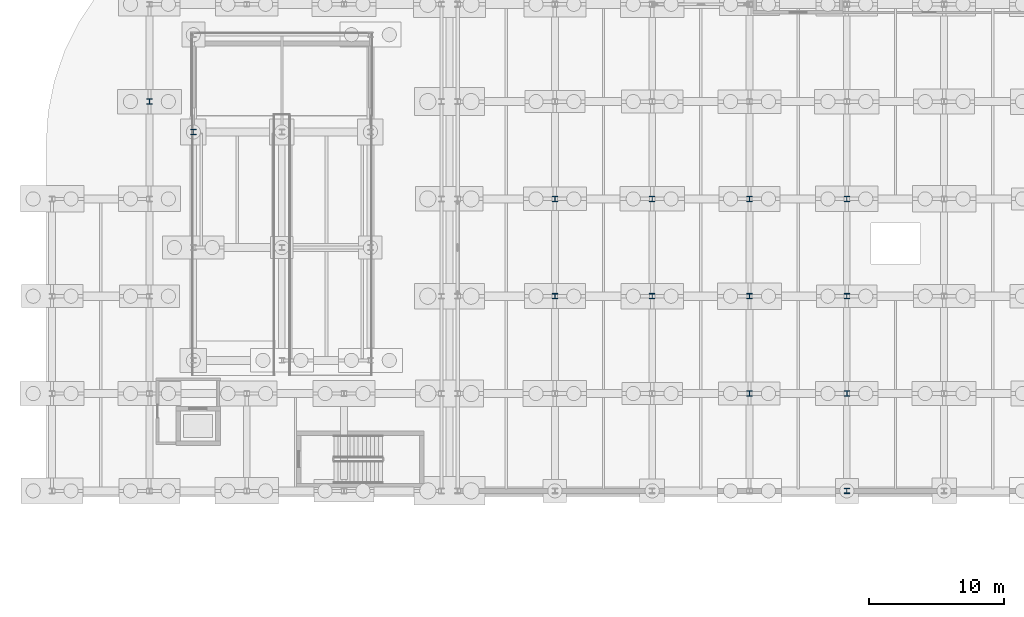
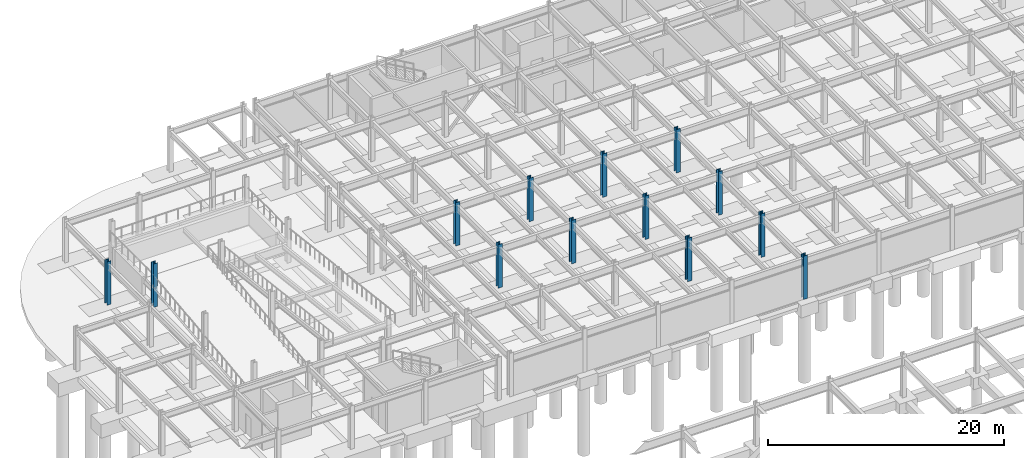
# One storey, part 18 of 54: 13 columns.
"""IFC4 building model written with IfcOpenShell, lengths in metres."""

from ifc_helpers import new_model, si_unit, direction, frame, origin, origin_2d, place, context, subcontext, project, spatial, i_section, extrude, material, material_profile, profile_set, type_object, element, save


model = new_model("IFC4")

# Units and contexts
model_context = context("Model", 3, precision=1e-05, world=origin(), true_north=direction((0.0, 1.0)))
body_context = subcontext(model_context, "Body", "Model", "MODEL_VIEW")
ifc_project = project(units=[si_unit("LENGTHUNIT", "METRE"), si_unit("AREAUNIT", "SQUARE_METRE"), si_unit("VOLUMEUNIT", "CUBIC_METRE"), si_unit("PLANEANGLEUNIT", "RADIAN"), si_unit("MASSUNIT", "GRAM", prefix="KILO")], contexts=[model_context])

# Site, building, storey
site_placement = place(None, origin())
site = spatial("IfcSite", under=ifc_project, at=site_placement, CompositionType="ELEMENT")
building_placement = place(site_placement, origin())
building = spatial("IfcBuilding", under=site, at=building_placement, Name="Vaelcorin Mobility Hub", CompositionType="ELEMENT")
storey_placement = place(building_placement, frame((0.0, 0.0, -4.5)))
storey = spatial("IfcBuildingStorey", under=building, at=storey_placement, Name="B1", CompositionType="ELEMENT", Elevation=-4.5)

# Columns
ifc_material = material(Name="Steel ASTM A992 Grade 50", Category="steel")
ifc_material_profile_1 = material_profile(ifc_material, i_section(OverallWidth=0.39599609375, OverallDepth=0.381103515625, WebThickness=0.018798828125, FlangeThickness=0.0302734375, FilletRadius=0.014892578125, at=origin_2d()), Name="W14X159")
ifc_profile_set_1 = profile_set([ifc_material_profile_1], Name="Steel ASTM A992 Grade 50")
column_type_1 = type_object("IfcColumnType", Name="COL-W14X159", PredefinedType="COLUMN", material=ifc_profile_set_1)
column_1_placement = place(storey_placement, frame((16.449951171875, 103.35009765625, 0.0), z_axis=(0.0, 0.0, 1.0), x_axis=(1.0, 0.0, 0.0)))
element("IfcColumn", 1, at=column_1_placement, inside=storey, type_object=column_type_1, Name="Column V2W-RDRM-WN B1", PredefinedType="COLUMN", context=body_context, shape_type="SweptSolid", body=[
    extrude(i_section(OverallWidth=0.39599609375, OverallDepth=0.381103515625, WebThickness=0.018798828125, FlangeThickness=0.0302734375, FilletRadius=0.014892578125, at=origin_2d()), origin(), (0.0, 0.0, 1.0), 4.5),
])
ifc_material_profile_2 = material_profile(ifc_material, i_section(OverallWidth=0.39892578125, OverallDepth=0.39404296875, WebThickness=0.022705078125, FlangeThickness=0.03662109375, FilletRadius=0.014892578125, at=origin_2d()), Name="W14X193")
ifc_profile_set_2 = profile_set([ifc_material_profile_2], Name="Steel ASTM A992 Grade 50")
column_type_2 = type_object("IfcColumnType", Name="COL-W14X193", PredefinedType="COLUMN", material=ifc_profile_set_2)
column_2_placement = place(storey_placement, frame((13.199951171875, 105.60009765625, 0.0), z_axis=(0.0, 0.0, 1.0), x_axis=(1.0, 0.0, 0.0)))
element("IfcColumn", 2, at=column_2_placement, inside=storey, type_object=column_type_2, Name="Column V2W-G2x5 B1", PredefinedType="COLUMN", context=body_context, shape_type="SweptSolid", body=[
    extrude(i_section(OverallWidth=0.39892578125, OverallDepth=0.39404296875, WebThickness=0.022705078125, FlangeThickness=0.03662109375, FilletRadius=0.014892578125, at=origin_2d()), origin(), (0.0, 0.0, 1.0), 4.5),
])
ifc_material_profile_3 = material_profile(ifc_material, i_section(OverallWidth=0.404052734375, OverallDepth=0.406005859375, WebThickness=0.027099609375, FlangeThickness=0.043701171875, FilletRadius=0.014892578125, at=origin_2d()), Name="W14X233")
ifc_profile_set_3 = profile_set([ifc_material_profile_3], Name="Steel ASTM A992 Grade 50")
column_type_3 = type_object("IfcColumnType", Name="COL-W14X233", PredefinedType="COLUMN", material=ifc_profile_set_3)
for number, where, z_axis, x_axis, name in (
    (3, (43.199951171875, 91.199951171875, 0.0), (0.0, 0.0, 1.0), (1.0, 0.0, 0.0), "Column V4-X02Y03 B1"),
    (4, (43.199951171875, 98.39990234375, 0.0), (0.0, 0.0, 1.0), (1.0, 0.0, 0.0), "Column V4-X02Y04 B1"),
    (5, (50.39990234375, 91.199951171875, 0.0), (0.0, 0.0, 1.0), (1.0, 0.0, 0.0), "Column V4-X03Y03 B1"),
    (6, (50.39990234375, 98.39990234375, 0.0), (0.0, 0.0, 1.0), (1.0, 0.0, 0.0), "Column V4-X03Y04 B1"),
    (7, (57.60009765625, 91.199951171875, 0.0), (0.0, 0.0, 1.0), (1.0, 0.0, 0.0), "Column V4-X04Y03 B1"),
    (8, (57.60009765625, 98.39990234375, 0.0), (0.0, 0.0, 1.0), (1.0, 0.0, 0.0), "Column V4-X04Y04 B1"),
    (9, (64.800048828125, 76.800048828125, 0.0), (0.0, 0.0, 1.0), (1.0, 0.0, 0.0), "Column V4-X05Y01 B1"),
    (10, (64.800048828125, 91.199951171875, 0.0), (0.0, 0.0, 1.0), (1.0, 0.0, 0.0), "Column V4-X05Y03 B1"),
    (11, (64.800048828125, 98.39990234375, 0.0), (0.0, 0.0, 1.0), (1.0, 0.0, 0.0), "Column V4-X05Y04 B1"),
):
    element("IfcColumn", number, at=place(storey_placement, frame(where, z_axis=z_axis, x_axis=x_axis)), inside=storey, type_object=column_type_3, Name=name, PredefinedType="COLUMN", context=body_context, shape_type="SweptSolid", body=[
        extrude(i_section(OverallWidth=0.404052734375, OverallDepth=0.406005859375, WebThickness=0.027099609375, FlangeThickness=0.043701171875, FilletRadius=0.014892578125, at=origin_2d()), origin(), (0.0, 0.0, 1.0), 4.5),
    ])
ifc_material_profile_4 = material_profile(ifc_material, i_section(OverallWidth=0.408935546875, OverallDepth=0.424072265625, WebThickness=0.03271484375, FlangeThickness=0.052490234375, FilletRadius=0.014892578125, at=origin_2d()), Name="W14X283")
ifc_profile_set_4 = profile_set([ifc_material_profile_4], Name="Steel ASTM A992 Grade 50")
column_type_4 = type_object("IfcColumnType", Name="COL-W14X283", PredefinedType="COLUMN", material=ifc_profile_set_4)
for number, where, z_axis, x_axis, name in (
    (12, (57.60009765625, 84.0, 0.0), (0.0, 0.0, 1.0), (1.0, 0.0, 0.0), "Column V4-X04Y02 B1"),
    (13, (64.800048828125, 84.0, 0.0), (0.0, 0.0, 1.0), (1.0, 0.0, 0.0), "Column V4-X05Y02 B1"),
):
    element("IfcColumn", number, at=place(storey_placement, frame(where, z_axis=z_axis, x_axis=x_axis)), inside=storey, type_object=column_type_4, Name=name, PredefinedType="COLUMN", context=body_context, shape_type="SweptSolid", body=[
        extrude(i_section(OverallWidth=0.408935546875, OverallDepth=0.424072265625, WebThickness=0.03271484375, FlangeThickness=0.052490234375, FilletRadius=0.014892578125, at=origin_2d()), origin(), (0.0, 0.0, 1.0), 4.5),
    ])

save(model, "model.ifc")
